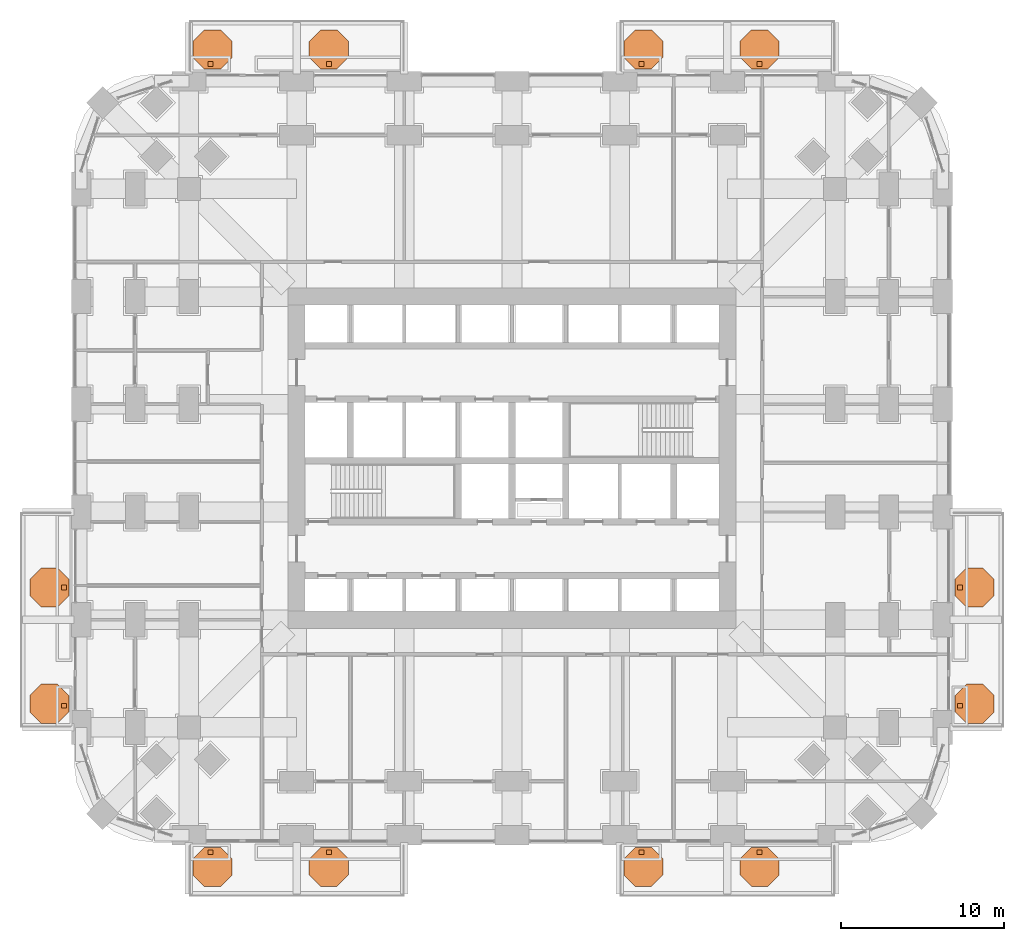
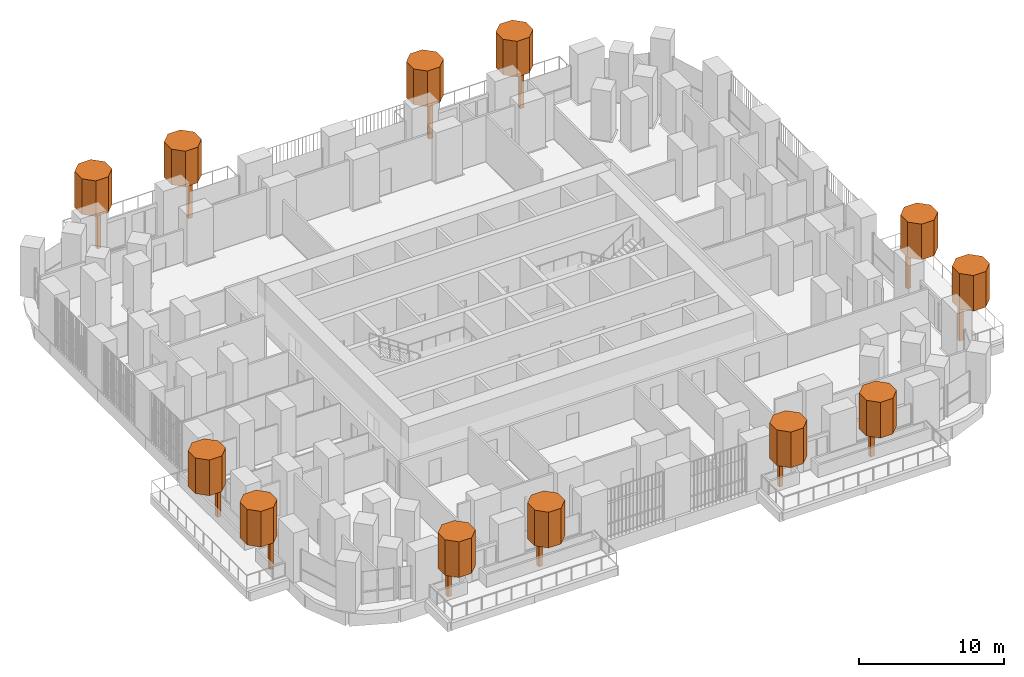
# One storey, part 27 of 27: 24 geographic elements.
"""IFC4 building model written with IfcOpenShell, lengths in metres."""

import ifcopenshell
import ifcopenshell.guid

model = None  # the IFC model being written
_history = None  # IfcOwnerHistory: only IFC2X3 demands one
_inside = {}  # id of a spatial element -> (the spatial element, [elements in it])
_under = {}  # id of a project, library or spatial element -> (it, [spatial elements below it])
_declared = {}  # id of a project -> (the project, [libraries it declares])
_typed = {}  # id of a type object -> (the type object, [elements of that type])
_made_of = {}  # id of a material, layer set ... -> (it, [elements and type objects made of it])


def new_model(schema):
    """Start an empty IFC model of exactly this schema.

    Asked for "IFC4X3", IfcOpenShell would pick the latest addendum, in which some entities
    have other attributes; the version numbers below select the first issue.
    IFC2X3 requires an IfcOwnerHistory on every rooted entity: one is made here for all.
    """
    global model, _history
    if schema == "IFC4X3":
        model = ifcopenshell.file(schema_version=(4, 3, 0, 0))
    else:
        model = ifcopenshell.file(schema=schema)
    _inside.clear()
    _under.clear()
    _declared.clear()
    _typed.clear()
    _made_of.clear()
    _history = None
    if model.schema == "IFC2X3":
        org = make("IfcOrganization", Name="unknown")
        user = make(
            "IfcPersonAndOrganization",
            ThePerson=make("IfcPerson", FamilyName="unknown"),
            TheOrganization=org,
        )
        app = make(
            "IfcApplication",
            ApplicationDeveloper=org,
            Version="unknown",
            ApplicationFullName="unknown",
            ApplicationIdentifier="unknown",
        )
        _history = make(
            "IfcOwnerHistory",
            OwningUser=user,
            OwningApplication=app,
            ChangeAction="ADDED",
            CreationDate=0,
        )
    return model


def make(cls, **values):
    """One entity of the class cls with the attributes given. An attribute that is None is left unset."""
    return model.create_entity(
        cls, **{name: value for name, value in values.items() if value is not None}
    )


def rooted(cls, **values):
    """An entity with a GlobalId (a new one), such as an element, a storey or a relation."""
    return make(cls, GlobalId=ifcopenshell.guid.new(), OwnerHistory=_history, **values)


def si_unit(unit_type, name, prefix=None):
    """IfcSIUnit, for example si_unit("LENGTHUNIT", "METRE", prefix="MILLI")."""
    return make("IfcSIUnit", UnitType=unit_type, Prefix=prefix, Name=name)


def assignment(units):
    """IfcUnitAssignment: the units of a project."""
    return None if units is None else make("IfcUnitAssignment", Units=units)


def point(xyz):
    """IfcCartesianPoint."""
    return None if xyz is None else make("IfcCartesianPoint", Coordinates=xyz)


def direction(xyz):
    """IfcDirection."""
    return None if xyz is None else make("IfcDirection", DirectionRatios=xyz)


def frame(location, z_axis=None, x_axis=None):
    """IfcAxis2Placement3D, a coordinate frame: its origin and axes. An axis left out is left unset."""
    return make(
        "IfcAxis2Placement3D",
        Location=point(location),
        Axis=direction(z_axis),
        RefDirection=direction(x_axis),
    )


def frame_2d(location, x_axis=None):
    """IfcAxis2Placement2D, a coordinate frame in the plane: its origin and x axis."""
    return make(
        "IfcAxis2Placement2D", Location=point(location), RefDirection=direction(x_axis)
    )


def origin():
    """The frame at (0, 0, 0) with its axes left unset."""
    return frame((0.0, 0.0, 0.0))


def origin_2d():
    """The frame at (0, 0) in the plane with its x axis left unset."""
    return frame_2d((0.0, 0.0))


def place(relative_to, where):
    """IfcLocalPlacement: puts the frame where relative to a parent placement (None: the world)."""
    return make(
        "IfcLocalPlacement", PlacementRelTo=relative_to, RelativePlacement=where
    )


def context(
    kind, dimensions, precision=None, world=None, true_north=None, identifier=None
):
    """IfcGeometricRepresentationContext, for example the 3D "Model" context."""
    return make(
        "IfcGeometricRepresentationContext",
        ContextIdentifier=identifier,
        ContextType=kind,
        CoordinateSpaceDimension=dimensions,
        Precision=precision,
        WorldCoordinateSystem=world,
        TrueNorth=true_north,
    )


def subcontext(parent, identifier, kind, view, scale=None):
    """IfcGeometricRepresentationSubContext, for example "Body" below "Model"."""
    return make(
        "IfcGeometricRepresentationSubContext",
        ContextIdentifier=identifier,
        ContextType=kind,
        ParentContext=parent,
        TargetScale=scale,
        TargetView=view,
    )


def project(units=None, contexts=None):
    """IfcProject with its units and contexts."""
    return rooted(
        "IfcProject",
        Name="project",
        RepresentationContexts=contexts,
        UnitsInContext=assignment(units),
    )


def spatial(cls, under=None, at=None, **own):
    """A site, building, storey or space (cls), placed at a placement, below another one or the project."""
    s = rooted(cls, ObjectPlacement=at, **own)
    if under is not None:
        _under.setdefault(under.id(), (under, []))[1].append(s)
    return s


def polyline(points):
    """IfcPolyline through the points."""
    return make("IfcPolyline", Points=[point(p) for p in points])


def profile(cls, at=None, kind="AREA", **sizes):
    """A parametric profile (cls). Its sizes go by their IFC names, for example OverallWidth=200.0."""
    return make(cls, ProfileType=kind, Position=at, **sizes)


def rectangle(**sizes):
    """IfcRectangleProfileDef."""
    return profile("IfcRectangleProfileDef", **sizes)


def outline(outer, holes=None, kind="AREA"):
    """IfcArbitraryClosedProfileDef: a profile drawn as a closed curve; with holes, ...WithVoids."""
    if holes is None:
        return make("IfcArbitraryClosedProfileDef", ProfileType=kind, OuterCurve=outer)
    return make(
        "IfcArbitraryProfileDefWithVoids",
        ProfileType=kind,
        OuterCurve=outer,
        InnerCurves=holes,
    )


def extrude(swept, where, along, depth):
    """IfcExtrudedAreaSolid: the profile swept, set in the frame where, extruded along a direction by depth."""
    return make(
        "IfcExtrudedAreaSolid",
        SweptArea=swept,
        Position=where,
        ExtrudedDirection=direction(along),
        Depth=depth,
    )


def shape(context_of_items, identifier, shape_type, items):
    """IfcShapeRepresentation: the items that make up one representation, for example the "Body"."""
    return make(
        "IfcShapeRepresentation",
        ContextOfItems=context_of_items,
        RepresentationIdentifier=identifier,
        RepresentationType=shape_type,
        Items=items,
    )


def material(Name=None, Category=None):
    """IfcMaterial."""
    return make("IfcMaterial", Name=Name, Category=Category)


def made_of(thing, what):
    """Note that an element or type object is made of a material, layer set ...; save() writes the relation."""
    if what is not None:
        _made_of.setdefault(what.id(), (what, []))[1].append(thing)
    return thing


def type_object(cls, material=None, **own):
    """A type object (cls), such as IfcWallType, which elements share."""
    return made_of(rooted(cls, **own), material)


def element(
    cls,
    number,
    at=None,
    inside=None,
    cuts=None,
    type_object=None,
    material=None,
    context=None,
    identifier="Body",
    shape_type=None,
    held_by="IfcProductDefinitionShape",
    body=None,
    shapes=None,
    **own,
):
    """One element of the class cls, such as IfcWall. Its Tag is "e" and its number.

    at: its placement. inside: the storey or other place that contains it. cuts: it is an
    opening in that element (IfcRelVoidsElement). A single representation is given by context,
    identifier, shape_type and body (its items); several are given by shapes. held_by: the class
    of the entity that holds the representations. save() writes the other relations.
    """
    e = rooted(cls, Tag="e%d" % number, ObjectPlacement=at, **own)
    if body is not None:
        shapes = [shape(context, identifier, shape_type, body)]
    if shapes is not None:
        e.Representation = make(held_by, Representations=shapes)
    if inside is not None:
        _inside.setdefault(inside.id(), (inside, []))[1].append(e)
    if cuts is not None:
        rooted(
            "IfcRelVoidsElement", RelatingBuildingElement=cuts, RelatedOpeningElement=e
        )
    if type_object is not None:
        _typed.setdefault(type_object.id(), (type_object, []))[1].append(e)
    return made_of(e, material)


def aggregate(whole, parts):
    """IfcRelAggregates: a whole, such as a stair, and the parts it consists of."""
    return rooted("IfcRelAggregates", RelatingObject=whole, RelatedObjects=parts)


def save(model, path):
    """Write the relations noted so far, then the file.

    IfcRelAggregates (storeys below a building ...), IfcRelContainedInSpatialStructure (elements
    in a storey), IfcRelDefinesByType, IfcRelAssociatesMaterial and IfcRelDeclares: one each for
    every whole, place, type object, material and project.
    """
    for whole, parts in _under.values():
        aggregate(whole, parts)
    for where, things in _inside.values():
        rooted(
            "IfcRelContainedInSpatialStructure",
            RelatedElements=things,
            RelatingStructure=where,
        )
    for kind, things in _typed.values():
        rooted("IfcRelDefinesByType", RelatedObjects=things, RelatingType=kind)
    for what, things in _made_of.values():
        rooted("IfcRelAssociatesMaterial", RelatedObjects=things, RelatingMaterial=what)
    for by, libraries in _declared.values():
        rooted("IfcRelDeclares", RelatingContext=by, RelatedDefinitions=libraries)
    model.write(path)


model = new_model("IFC4")

# Units and contexts
model_context = context("Model", 3, precision=1e-05, world=origin(), true_north=direction((0.0, 1.0)))
body_context = subcontext(model_context, "Body", "Model", "MODEL_VIEW")
ifc_project = project(units=[si_unit("LENGTHUNIT", "METRE"), si_unit("AREAUNIT", "SQUARE_METRE"), si_unit("VOLUMEUNIT", "CUBIC_METRE"), si_unit("PLANEANGLEUNIT", "RADIAN"), si_unit("MASSUNIT", "GRAM", prefix="KILO")], contexts=[model_context])

# Site, building, storey
site_placement = place(None, origin())
site = spatial("IfcSite", under=ifc_project, at=site_placement, CompositionType="ELEMENT")
building_placement = place(site_placement, origin())
building = spatial("IfcBuilding", under=site, at=building_placement, Name="Cobogo Forest Laboratory Tower", CompositionType="ELEMENT")
storey_placement = place(building_placement, frame((0.0, 0.0, 46.5)))
storey = spatial("IfcBuildingStorey", under=building, at=storey_placement, Name="L10", CompositionType="ELEMENT", Elevation=46.5)

# Geographic elements
ifc_material = material(Name="Planting", Category="plant")
geographic_element_type_1 = type_object("IfcGeographicElementType", Name="Tree trunk 300", PredefinedType="USERDEFINED", material=ifc_material)
for number, where, z_axis, x_axis, name in (
    (1, (7.925048828125, -1.050048828125, 0.0), (0.0, 0.0, 1.0), (1.0, 0.0, 0.0), "Tree trunk BAL-S1-PL1 L10"),
    (2, (15.175048828125, -1.050048828125, 0.0), (0.0, 0.0, 1.0), (1.0, 0.0, 0.0), "Tree trunk BAL-S1-PL2 L10"),
    (3, (34.324951171875, -1.050048828125, 0.0), (0.0, 0.0, 1.0), (1.0, 0.0, 0.0), "Tree trunk BAL-S2-PL1 L10"),
    (4, (41.574951171875, -1.050048828125, 0.0), (0.0, 0.0, 1.0), (1.0, 0.0, 0.0), "Tree trunk BAL-S2-PL2 L10"),
    (5, (53.85009765625, 7.925048828125, 0.0), (0.0, 0.0, 1.0), (1.0, 0.0, 0.0), "Tree trunk BAL-E1-PL1 L10"),
    (6, (53.85009765625, 15.175048828125, 0.0), (0.0, 0.0, 1.0), (1.0, 0.0, 0.0), "Tree trunk BAL-E1-PL2 L10"),
    (7, (7.925048828125, 47.25, 0.0), (0.0, 0.0, 1.0), (1.0, 0.0, 0.0), "Tree trunk BAL-N1-PL1 L10"),
    (8, (15.175048828125, 47.25, 0.0), (0.0, 0.0, 1.0), (1.0, 0.0, 0.0), "Tree trunk BAL-N1-PL2 L10"),
    (9, (34.324951171875, 47.25, 0.0), (0.0, 0.0, 1.0), (1.0, 0.0, 0.0), "Tree trunk BAL-N2-PL1 L10"),
    (10, (41.574951171875, 47.25, 0.0), (0.0, 0.0, 1.0), (1.0, 0.0, 0.0), "Tree trunk BAL-N2-PL2 L10"),
    (11, (-1.050048828125, 7.925048828125, 0.0), (0.0, 0.0, 1.0), (1.0, 0.0, 0.0), "Tree trunk BAL-W1-PL1 L10"),
    (12, (-1.050048828125, 15.175048828125, 0.0), (0.0, 0.0, 1.0), (1.0, 0.0, 0.0), "Tree trunk BAL-W1-PL2 L10"),
):
    element("IfcGeographicElement", number, at=place(storey_placement, frame(where, z_axis=z_axis, x_axis=x_axis)), inside=storey, type_object=geographic_element_type_1, Name=name, ObjectType="TREE TRUNK", PredefinedType="USERDEFINED", context=body_context, shape_type="SweptSolid", body=[
        extrude(rectangle(XDim=0.300048828125, YDim=0.300048828125, at=origin_2d()), origin(), (0.0, 0.0, 1.0), 2.89990234375),
    ])
geographic_element_type_2 = type_object("IfcGeographicElementType", Name="Tree, holm oak 5 m", PredefinedType="USERDEFINED", material=ifc_material)
geographic_element_1_placement = place(storey_placement, frame((0.0, 0.0, 2.89990234375)))
element("IfcGeographicElement", 13, at=geographic_element_1_placement, inside=storey, type_object=geographic_element_type_2, Name="Holm tree BAL-S1-PL1 L10", ObjectType="TREE", PredefinedType="USERDEFINED", context=body_context, shape_type="SweptSolid", body=[
    extrude(outline(polyline([(9.25, -2.447021484375), (9.25, -1.452880859375), (8.547119140625, -0.75), (7.552978515625, -0.75), (6.85009765625, -1.452880859375), (6.85009765625, -2.447021484375), (7.552978515625, -3.14990234375), (8.547119140625, -3.14990234375), (9.25, -2.447021484375)])), origin(), (0.0, 0.0, 1.0), 3.0),
])
geographic_element_2_placement = place(storey_placement, frame((0.0, 0.0, 2.89990234375)))
element("IfcGeographicElement", 14, at=geographic_element_2_placement, inside=storey, type_object=geographic_element_type_2, Name="Holm tree BAL-S1-PL2 L10", ObjectType="TREE", PredefinedType="USERDEFINED", context=body_context, shape_type="SweptSolid", body=[
    extrude(outline(polyline([(16.375, -2.447021484375), (16.375, -1.452880859375), (15.672119140625, -0.75), (14.677978515625, -0.75), (13.97509765625, -1.452880859375), (13.97509765625, -2.447021484375), (14.677978515625, -3.14990234375), (15.672119140625, -3.14990234375), (16.375, -2.447021484375)])), origin(), (0.0, 0.0, 1.0), 3.0),
])
geographic_element_3_placement = place(storey_placement, frame((0.0, 0.0, 2.89990234375)))
element("IfcGeographicElement", 15, at=geographic_element_3_placement, inside=storey, type_object=geographic_element_type_2, Name="Holm tree BAL-S2-PL1 L10", ObjectType="TREE", PredefinedType="USERDEFINED", context=body_context, shape_type="SweptSolid", body=[
    extrude(outline(polyline([(35.64990234375, -2.447021484375), (35.64990234375, -1.452880859375), (34.947021484375, -0.75), (33.952880859375, -0.75), (33.25, -1.452880859375), (33.25, -2.447021484375), (33.952880859375, -3.14990234375), (34.947021484375, -3.14990234375), (35.64990234375, -2.447021484375)])), origin(), (0.0, 0.0, 1.0), 3.0),
])
geographic_element_4_placement = place(storey_placement, frame((0.0, 0.0, 2.89990234375)))
element("IfcGeographicElement", 16, at=geographic_element_4_placement, inside=storey, type_object=geographic_element_type_2, Name="Holm tree BAL-S2-PL2 L10", ObjectType="TREE", PredefinedType="USERDEFINED", context=body_context, shape_type="SweptSolid", body=[
    extrude(outline(polyline([(42.77490234375, -2.447021484375), (42.77490234375, -1.452880859375), (42.072021484375, -0.75), (41.077880859375, -0.75), (40.375, -1.452880859375), (40.375, -2.447021484375), (41.077880859375, -3.14990234375), (42.072021484375, -3.14990234375), (42.77490234375, -2.447021484375)])), origin(), (0.0, 0.0, 1.0), 3.0),
])
geographic_element_5_placement = place(storey_placement, frame((0.0, 0.0, 2.89990234375)))
element("IfcGeographicElement", 17, at=geographic_element_5_placement, inside=storey, type_object=geographic_element_type_2, Name="Holm tree BAL-E1-PL1 L10", ObjectType="TREE", PredefinedType="USERDEFINED", context=body_context, shape_type="SweptSolid", body=[
    extrude(outline(polyline([(55.949951171875, 7.552978515625), (55.949951171875, 8.547119140625), (55.2470703125, 9.25), (54.2529296875, 9.25), (53.550048828125, 8.547119140625), (53.550048828125, 7.552978515625), (54.2529296875, 6.85009765625), (55.2470703125, 6.85009765625), (55.949951171875, 7.552978515625)])), origin(), (0.0, 0.0, 1.0), 3.0),
])
geographic_element_6_placement = place(storey_placement, frame((0.0, 0.0, 2.89990234375)))
element("IfcGeographicElement", 18, at=geographic_element_6_placement, inside=storey, type_object=geographic_element_type_2, Name="Holm tree BAL-E1-PL2 L10", ObjectType="TREE", PredefinedType="USERDEFINED", context=body_context, shape_type="SweptSolid", body=[
    extrude(outline(polyline([(55.949951171875, 14.677978515625), (55.949951171875, 15.672119140625), (55.2470703125, 16.375), (54.2529296875, 16.375), (53.550048828125, 15.672119140625), (53.550048828125, 14.677978515625), (54.2529296875, 13.97509765625), (55.2470703125, 13.97509765625), (55.949951171875, 14.677978515625)])), origin(), (0.0, 0.0, 1.0), 3.0),
])
geographic_element_7_placement = place(storey_placement, frame((0.0, 0.0, 2.89990234375)))
element("IfcGeographicElement", 19, at=geographic_element_7_placement, inside=storey, type_object=geographic_element_type_2, Name="Holm tree BAL-N1-PL1 L10", ObjectType="TREE", PredefinedType="USERDEFINED", context=body_context, shape_type="SweptSolid", body=[
    extrude(outline(polyline([(9.25, 47.65283203125), (9.25, 48.64697265625), (8.547119140625, 49.35009765625), (7.552978515625, 49.35009765625), (6.85009765625, 48.64697265625), (6.85009765625, 47.65283203125), (7.552978515625, 46.949951171875), (8.547119140625, 46.949951171875), (9.25, 47.65283203125)])), origin(), (0.0, 0.0, 1.0), 3.0),
])
geographic_element_8_placement = place(storey_placement, frame((0.0, 0.0, 2.89990234375)))
element("IfcGeographicElement", 20, at=geographic_element_8_placement, inside=storey, type_object=geographic_element_type_2, Name="Holm tree BAL-N1-PL2 L10", ObjectType="TREE", PredefinedType="USERDEFINED", context=body_context, shape_type="SweptSolid", body=[
    extrude(outline(polyline([(16.375, 47.65283203125), (16.375, 48.64697265625), (15.672119140625, 49.35009765625), (14.677978515625, 49.35009765625), (13.97509765625, 48.64697265625), (13.97509765625, 47.65283203125), (14.677978515625, 46.949951171875), (15.672119140625, 46.949951171875), (16.375, 47.65283203125)])), origin(), (0.0, 0.0, 1.0), 3.0),
])
geographic_element_9_placement = place(storey_placement, frame((0.0, 0.0, 2.89990234375)))
element("IfcGeographicElement", 21, at=geographic_element_9_placement, inside=storey, type_object=geographic_element_type_2, Name="Holm tree BAL-N2-PL1 L10", ObjectType="TREE", PredefinedType="USERDEFINED", context=body_context, shape_type="SweptSolid", body=[
    extrude(outline(polyline([(35.64990234375, 47.65283203125), (35.64990234375, 48.64697265625), (34.947021484375, 49.35009765625), (33.952880859375, 49.35009765625), (33.25, 48.64697265625), (33.25, 47.65283203125), (33.952880859375, 46.949951171875), (34.947021484375, 46.949951171875), (35.64990234375, 47.65283203125)])), origin(), (0.0, 0.0, 1.0), 3.0),
])
geographic_element_10_placement = place(storey_placement, frame((0.0, 0.0, 2.89990234375)))
element("IfcGeographicElement", 22, at=geographic_element_10_placement, inside=storey, type_object=geographic_element_type_2, Name="Holm tree BAL-N2-PL2 L10", ObjectType="TREE", PredefinedType="USERDEFINED", context=body_context, shape_type="SweptSolid", body=[
    extrude(outline(polyline([(42.77490234375, 47.65283203125), (42.77490234375, 48.64697265625), (42.072021484375, 49.35009765625), (41.077880859375, 49.35009765625), (40.375, 48.64697265625), (40.375, 47.65283203125), (41.077880859375, 46.949951171875), (42.072021484375, 46.949951171875), (42.77490234375, 47.65283203125)])), origin(), (0.0, 0.0, 1.0), 3.0),
])
geographic_element_11_placement = place(storey_placement, frame((0.0, 0.0, 2.89990234375)))
element("IfcGeographicElement", 23, at=geographic_element_11_placement, inside=storey, type_object=geographic_element_type_2, Name="Holm tree BAL-W1-PL1 L10", ObjectType="TREE", PredefinedType="USERDEFINED", context=body_context, shape_type="SweptSolid", body=[
    extrude(outline(polyline([(-0.75, 7.552978515625), (-0.75, 8.547119140625), (-1.452880859375, 9.25), (-2.447021484375, 9.25), (-3.14990234375, 8.547119140625), (-3.14990234375, 7.552978515625), (-2.447021484375, 6.85009765625), (-1.452880859375, 6.85009765625), (-0.75, 7.552978515625)])), origin(), (0.0, 0.0, 1.0), 3.0),
])
geographic_element_12_placement = place(storey_placement, frame((0.0, 0.0, 2.89990234375)))
element("IfcGeographicElement", 24, at=geographic_element_12_placement, inside=storey, type_object=geographic_element_type_2, Name="Holm tree BAL-W1-PL2 L10", ObjectType="TREE", PredefinedType="USERDEFINED", context=body_context, shape_type="SweptSolid", body=[
    extrude(outline(polyline([(-0.75, 14.677978515625), (-0.75, 15.672119140625), (-1.452880859375, 16.375), (-2.447021484375, 16.375), (-3.14990234375, 15.672119140625), (-3.14990234375, 14.677978515625), (-2.447021484375, 13.97509765625), (-1.452880859375, 13.97509765625), (-0.75, 14.677978515625)])), origin(), (0.0, 0.0, 1.0), 3.0),
])

save(model, "model.ifc")
